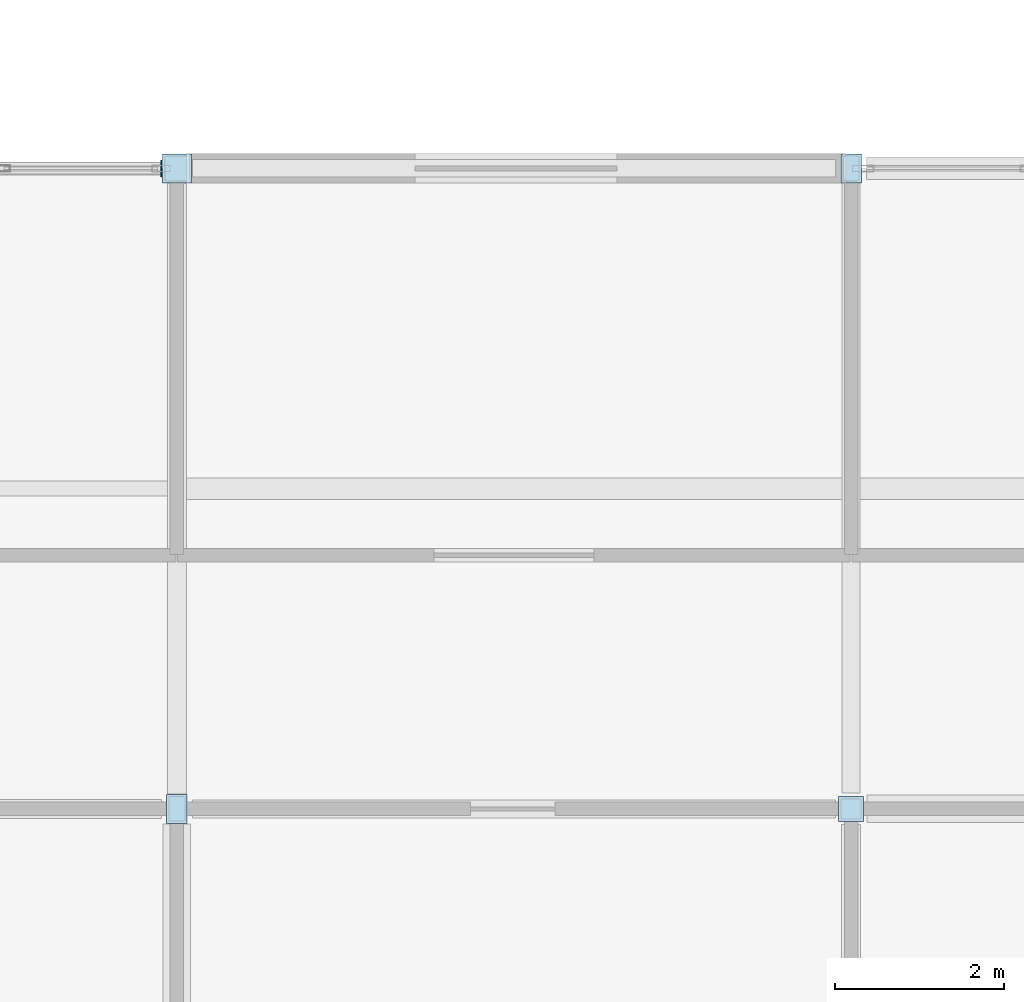
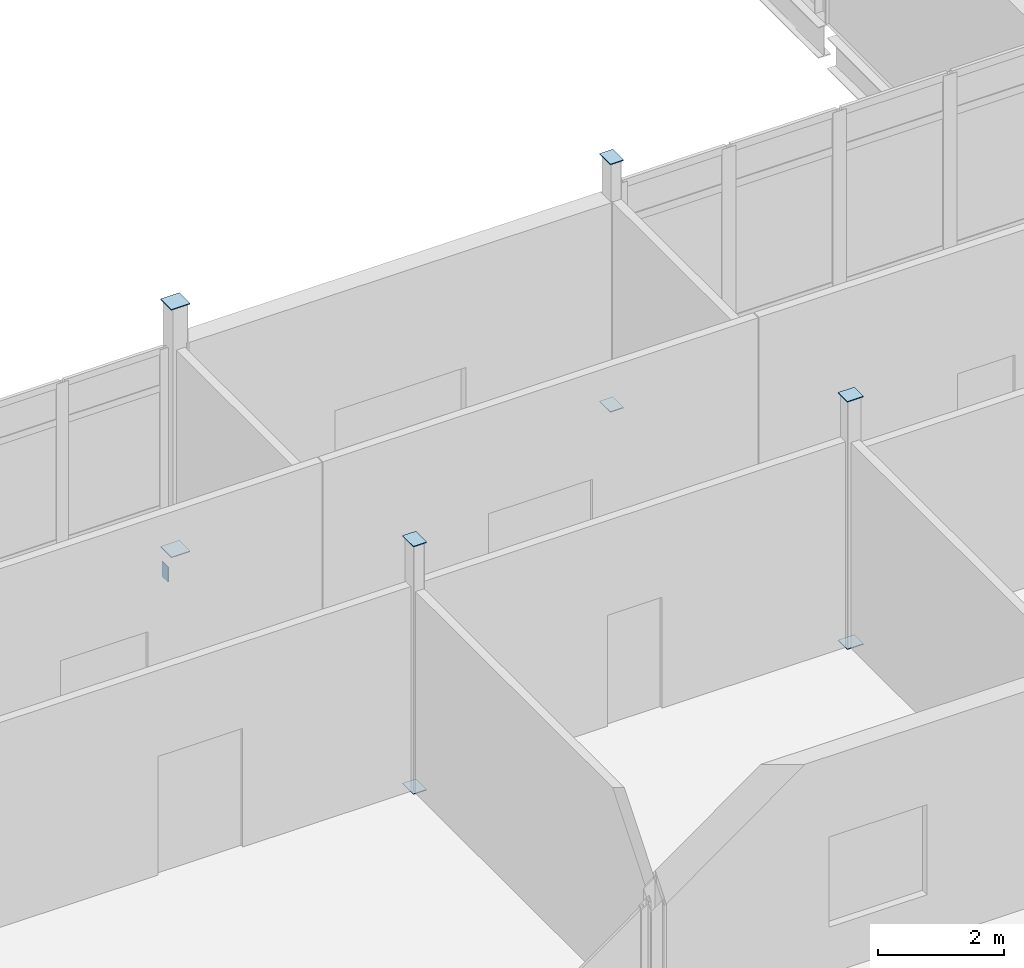
# One storey, part 147 of 186: 9 plates.
"""IFC4 building model written with IfcOpenShell, lengths in metres."""

import ifcopenshell
import ifcopenshell.guid

model = None  # the IFC model being written
_history = None  # IfcOwnerHistory: only IFC2X3 demands one
_inside = {}  # id of a spatial element -> (the spatial element, [elements in it])
_under = {}  # id of a project, library or spatial element -> (it, [spatial elements below it])
_declared = {}  # id of a project -> (the project, [libraries it declares])
_typed = {}  # id of a type object -> (the type object, [elements of that type])
_made_of = {}  # id of a material, layer set ... -> (it, [elements and type objects made of it])


def new_model(schema):
    """Start an empty IFC model of exactly this schema.

    Asked for "IFC4X3", IfcOpenShell would pick the latest addendum, in which some entities
    have other attributes; the version numbers below select the first issue.
    IFC2X3 requires an IfcOwnerHistory on every rooted entity: one is made here for all.
    """
    global model, _history
    if schema == "IFC4X3":
        model = ifcopenshell.file(schema_version=(4, 3, 0, 0))
    else:
        model = ifcopenshell.file(schema=schema)
    _inside.clear()
    _under.clear()
    _declared.clear()
    _typed.clear()
    _made_of.clear()
    _history = None
    if model.schema == "IFC2X3":
        org = make("IfcOrganization", Name="unknown")
        user = make(
            "IfcPersonAndOrganization",
            ThePerson=make("IfcPerson", FamilyName="unknown"),
            TheOrganization=org,
        )
        app = make(
            "IfcApplication",
            ApplicationDeveloper=org,
            Version="unknown",
            ApplicationFullName="unknown",
            ApplicationIdentifier="unknown",
        )
        _history = make(
            "IfcOwnerHistory",
            OwningUser=user,
            OwningApplication=app,
            ChangeAction="ADDED",
            CreationDate=0,
        )
    return model


def make(cls, **values):
    """One entity of the class cls with the attributes given. An attribute that is None is left unset."""
    return model.create_entity(
        cls, **{name: value for name, value in values.items() if value is not None}
    )


def rooted(cls, **values):
    """An entity with a GlobalId (a new one), such as an element, a storey or a relation."""
    return make(cls, GlobalId=ifcopenshell.guid.new(), OwnerHistory=_history, **values)


def si_unit(unit_type, name, prefix=None):
    """IfcSIUnit, for example si_unit("LENGTHUNIT", "METRE", prefix="MILLI")."""
    return make("IfcSIUnit", UnitType=unit_type, Prefix=prefix, Name=name)


def assignment(units):
    """IfcUnitAssignment: the units of a project."""
    return None if units is None else make("IfcUnitAssignment", Units=units)


def point(xyz):
    """IfcCartesianPoint."""
    return None if xyz is None else make("IfcCartesianPoint", Coordinates=xyz)


def direction(xyz):
    """IfcDirection."""
    return None if xyz is None else make("IfcDirection", DirectionRatios=xyz)


def frame(location, z_axis=None, x_axis=None):
    """IfcAxis2Placement3D, a coordinate frame: its origin and axes. An axis left out is left unset."""
    return make(
        "IfcAxis2Placement3D",
        Location=point(location),
        Axis=direction(z_axis),
        RefDirection=direction(x_axis),
    )


def frame_2d(location, x_axis=None):
    """IfcAxis2Placement2D, a coordinate frame in the plane: its origin and x axis."""
    return make(
        "IfcAxis2Placement2D", Location=point(location), RefDirection=direction(x_axis)
    )


def origin():
    """The frame at (0, 0, 0) with its axes left unset."""
    return frame((0.0, 0.0, 0.0))


def origin_2d():
    """The frame at (0, 0) in the plane with its x axis left unset."""
    return frame_2d((0.0, 0.0))


def place(relative_to, where):
    """IfcLocalPlacement: puts the frame where relative to a parent placement (None: the world)."""
    return make(
        "IfcLocalPlacement", PlacementRelTo=relative_to, RelativePlacement=where
    )


def context(
    kind, dimensions, precision=None, world=None, true_north=None, identifier=None
):
    """IfcGeometricRepresentationContext, for example the 3D "Model" context."""
    return make(
        "IfcGeometricRepresentationContext",
        ContextIdentifier=identifier,
        ContextType=kind,
        CoordinateSpaceDimension=dimensions,
        Precision=precision,
        WorldCoordinateSystem=world,
        TrueNorth=true_north,
    )


def subcontext(parent, identifier, kind, view, scale=None):
    """IfcGeometricRepresentationSubContext, for example "Body" below "Model"."""
    return make(
        "IfcGeometricRepresentationSubContext",
        ContextIdentifier=identifier,
        ContextType=kind,
        ParentContext=parent,
        TargetScale=scale,
        TargetView=view,
    )


def project(units=None, contexts=None):
    """IfcProject with its units and contexts."""
    return rooted(
        "IfcProject",
        Name="project",
        RepresentationContexts=contexts,
        UnitsInContext=assignment(units),
    )


def spatial(cls, under=None, at=None, **own):
    """A site, building, storey or space (cls), placed at a placement, below another one or the project."""
    s = rooted(cls, ObjectPlacement=at, **own)
    if under is not None:
        _under.setdefault(under.id(), (under, []))[1].append(s)
    return s


def profile(cls, at=None, kind="AREA", **sizes):
    """A parametric profile (cls). Its sizes go by their IFC names, for example OverallWidth=200.0."""
    return make(cls, ProfileType=kind, Position=at, **sizes)


def rectangle(**sizes):
    """IfcRectangleProfileDef."""
    return profile("IfcRectangleProfileDef", **sizes)


def extrude(swept, where, along, depth):
    """IfcExtrudedAreaSolid: the profile swept, set in the frame where, extruded along a direction by depth."""
    return make(
        "IfcExtrudedAreaSolid",
        SweptArea=swept,
        Position=where,
        ExtrudedDirection=direction(along),
        Depth=depth,
    )


def shape(context_of_items, identifier, shape_type, items):
    """IfcShapeRepresentation: the items that make up one representation, for example the "Body"."""
    return make(
        "IfcShapeRepresentation",
        ContextOfItems=context_of_items,
        RepresentationIdentifier=identifier,
        RepresentationType=shape_type,
        Items=items,
    )


def material(Name=None, Category=None):
    """IfcMaterial."""
    return make("IfcMaterial", Name=Name, Category=Category)


def layer(
    of_material, thickness, ventilated=None, Name=None, Category=None, Priority=None
):
    """IfcMaterialLayer: one layer of a wall or slab, of a material (None: an air gap)."""
    return make(
        "IfcMaterialLayer",
        Material=of_material,
        LayerThickness=thickness,
        IsVentilated=ventilated,
        Name=Name,
        Category=Category,
        Priority=Priority,
    )


def layer_set(layers, Name=None):
    """IfcMaterialLayerSet."""
    return make("IfcMaterialLayerSet", MaterialLayers=layers, LayerSetName=Name)


def made_of(thing, what):
    """Note that an element or type object is made of a material, layer set ...; save() writes the relation."""
    if what is not None:
        _made_of.setdefault(what.id(), (what, []))[1].append(thing)
    return thing


def type_object(cls, material=None, **own):
    """A type object (cls), such as IfcWallType, which elements share."""
    return made_of(rooted(cls, **own), material)


def element(
    cls,
    number,
    at=None,
    inside=None,
    cuts=None,
    type_object=None,
    material=None,
    context=None,
    identifier="Body",
    shape_type=None,
    held_by="IfcProductDefinitionShape",
    body=None,
    shapes=None,
    **own,
):
    """One element of the class cls, such as IfcWall. Its Tag is "e" and its number.

    at: its placement. inside: the storey or other place that contains it. cuts: it is an
    opening in that element (IfcRelVoidsElement). A single representation is given by context,
    identifier, shape_type and body (its items); several are given by shapes. held_by: the class
    of the entity that holds the representations. save() writes the other relations.
    """
    e = rooted(cls, Tag="e%d" % number, ObjectPlacement=at, **own)
    if body is not None:
        shapes = [shape(context, identifier, shape_type, body)]
    if shapes is not None:
        e.Representation = make(held_by, Representations=shapes)
    if inside is not None:
        _inside.setdefault(inside.id(), (inside, []))[1].append(e)
    if cuts is not None:
        rooted(
            "IfcRelVoidsElement", RelatingBuildingElement=cuts, RelatedOpeningElement=e
        )
    if type_object is not None:
        _typed.setdefault(type_object.id(), (type_object, []))[1].append(e)
    return made_of(e, material)


def aggregate(whole, parts):
    """IfcRelAggregates: a whole, such as a stair, and the parts it consists of."""
    return rooted("IfcRelAggregates", RelatingObject=whole, RelatedObjects=parts)


def save(model, path):
    """Write the relations noted so far, then the file.

    IfcRelAggregates (storeys below a building ...), IfcRelContainedInSpatialStructure (elements
    in a storey), IfcRelDefinesByType, IfcRelAssociatesMaterial and IfcRelDeclares: one each for
    every whole, place, type object, material and project.
    """
    for whole, parts in _under.values():
        aggregate(whole, parts)
    for where, things in _inside.values():
        rooted(
            "IfcRelContainedInSpatialStructure",
            RelatedElements=things,
            RelatingStructure=where,
        )
    for kind, things in _typed.values():
        rooted("IfcRelDefinesByType", RelatedObjects=things, RelatingType=kind)
    for what, things in _made_of.values():
        rooted("IfcRelAssociatesMaterial", RelatedObjects=things, RelatingMaterial=what)
    for by, libraries in _declared.values():
        rooted("IfcRelDeclares", RelatingContext=by, RelatedDefinitions=libraries)
    model.write(path)


model = new_model("IFC4")

# Units and contexts
model_context = context("Model", 3, precision=1e-05, world=origin(), true_north=direction((0.0, 1.0)))
body_context = subcontext(model_context, "Body", "Model", "MODEL_VIEW")
ifc_project = project(units=[si_unit("LENGTHUNIT", "METRE"), si_unit("AREAUNIT", "SQUARE_METRE"), si_unit("VOLUMEUNIT", "CUBIC_METRE"), si_unit("PLANEANGLEUNIT", "RADIAN"), si_unit("MASSUNIT", "GRAM", prefix="KILO")], contexts=[model_context])

# Site, building, storey
site_placement = place(None, origin())
site = spatial("IfcSite", under=ifc_project, at=site_placement, CompositionType="ELEMENT")
building_placement = place(site_placement, origin())
building = spatial("IfcBuilding", under=site, at=building_placement, Name="Calvrana Isthmian Art Gallery", CompositionType="ELEMENT")
storey_placement = place(building_placement, frame((0.0, 0.0, 5.39990234375)))
storey = spatial("IfcBuildingStorey", under=building, at=storey_placement, Name="L01", CompositionType="ELEMENT", Elevation=5.39990234375)

# Plates
ifc_material = material(Name="Steel ASTM A572 Gr 50", Category="steel")
ifc_layer = layer(ifc_material, 0.01611328125, Name="Steel ASTM A572 Gr 50")
ifc_layer_set = layer_set([ifc_layer], Name="Steel ASTM A572 Gr 50")
plate_type = type_object("IfcPlateType", Name="PL-CAP-16", PredefinedType="SHEET", material=ifc_layer_set)
for number, where, z_axis, x_axis, name in (
    (1, (96.39990234375, 54.39990234375, -0.008056640625), (0.0, 0.0, 1.0), (1.0, 0.0, 0.0), "Hollow section end cap plate 225"),
    (2, (96.39990234375, 54.39990234375, 4.7919921875), (0.0, 0.0, 1.0), (1.0, 0.0, 0.0), "Hollow section end cap plate 226"),
):
    element("IfcPlate", number, at=place(storey_placement, frame(where, z_axis=z_axis, x_axis=x_axis)), inside=storey, type_object=plate_type, Name=name, PredefinedType="SHEET", context=body_context, shape_type="SweptSolid", body=[
        extrude(rectangle(XDim=0.2431640625, YDim=0.3447265625, at=origin_2d()), origin(), (0.0, 0.0, 1.0), 0.01611328125),
    ])
for number, where, z_axis, x_axis, name in (
    (3, (96.39990234375, 62.0, -0.008056640625), (0.0, 0.0, 1.0), (1.0, 0.0, 0.0), "Hollow section end cap plate 227"),
    (4, (96.39990234375, 62.0, 4.7919921875), (0.0, 0.0, 1.0), (1.0, 0.0, 0.0), "Hollow section end cap plate 228"),
):
    element("IfcPlate", number, at=place(storey_placement, frame(where, z_axis=z_axis, x_axis=x_axis)), inside=storey, type_object=plate_type, Name=name, PredefinedType="SHEET", context=body_context, shape_type="SweptSolid", body=[
        extrude(rectangle(XDim=0.3447265625, YDim=0.3447265625, at=origin_2d()), origin(), (0.0, 0.0, 1.0), 0.01611328125),
    ])
for number, where, z_axis, x_axis, name in (
    (5, (104.39990234375, 54.39990234375, -0.008056640625), (0.0, 0.0, 1.0), (1.0, 0.0, 0.0), "Hollow section end cap plate 243"),
    (6, (104.39990234375, 54.39990234375, 4.7919921875), (0.0, 0.0, 1.0), (1.0, 0.0, 0.0), "Hollow section end cap plate 244"),
):
    element("IfcPlate", number, at=place(storey_placement, frame(where, z_axis=z_axis, x_axis=x_axis)), inside=storey, type_object=plate_type, Name=name, PredefinedType="SHEET", context=body_context, shape_type="SweptSolid", body=[
        extrude(rectangle(XDim=0.2939453125, YDim=0.2939453125, at=origin_2d()), origin(), (0.0, 0.0, 1.0), 0.01611328125),
    ])
for number, where, z_axis, x_axis, name in (
    (7, (104.39990234375, 62.0, -0.008056640625), (0.0, 0.0, 1.0), (1.0, 0.0, 0.0), "Hollow section end cap plate 245"),
    (8, (104.39990234375, 62.0, 4.7919921875), (0.0, 0.0, 1.0), (1.0, 0.0, 0.0), "Hollow section end cap plate 246"),
):
    element("IfcPlate", number, at=place(storey_placement, frame(where, z_axis=z_axis, x_axis=x_axis)), inside=storey, type_object=plate_type, Name=name, PredefinedType="SHEET", context=body_context, shape_type="SweptSolid", body=[
        extrude(rectangle(XDim=0.2431640625, YDim=0.3447265625, at=origin_2d()), origin(), (0.0, 0.0, 1.0), 0.01611328125),
    ])
plate_placement = place(storey_placement, frame((96.214599609375, 62.0, -0.518798828125), z_axis=(0.0, 0.0, 1.0), x_axis=(1.0, 0.0, 0.0)))
element("IfcPlate", 9, at=plate_placement, inside=storey, type_object=plate_type, Name="Hollow section end cap plate 428", PredefinedType="SHEET", context=body_context, shape_type="SweptSolid", body=[
    extrude(rectangle(XDim=0.01611328125, YDim=0.1923828125, at=origin_2d()), origin(), (0.0, 0.0, 1.0), 0.2939453125),
])

save(model, "model.ifc")
